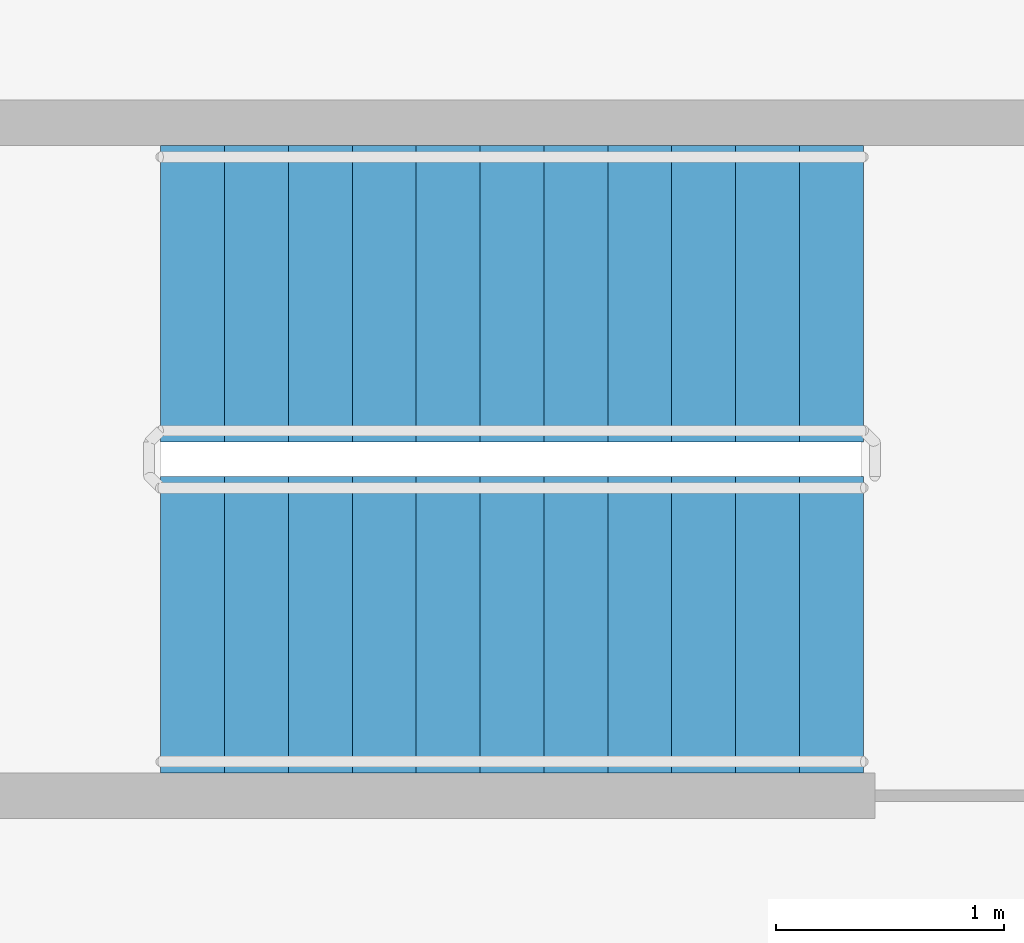
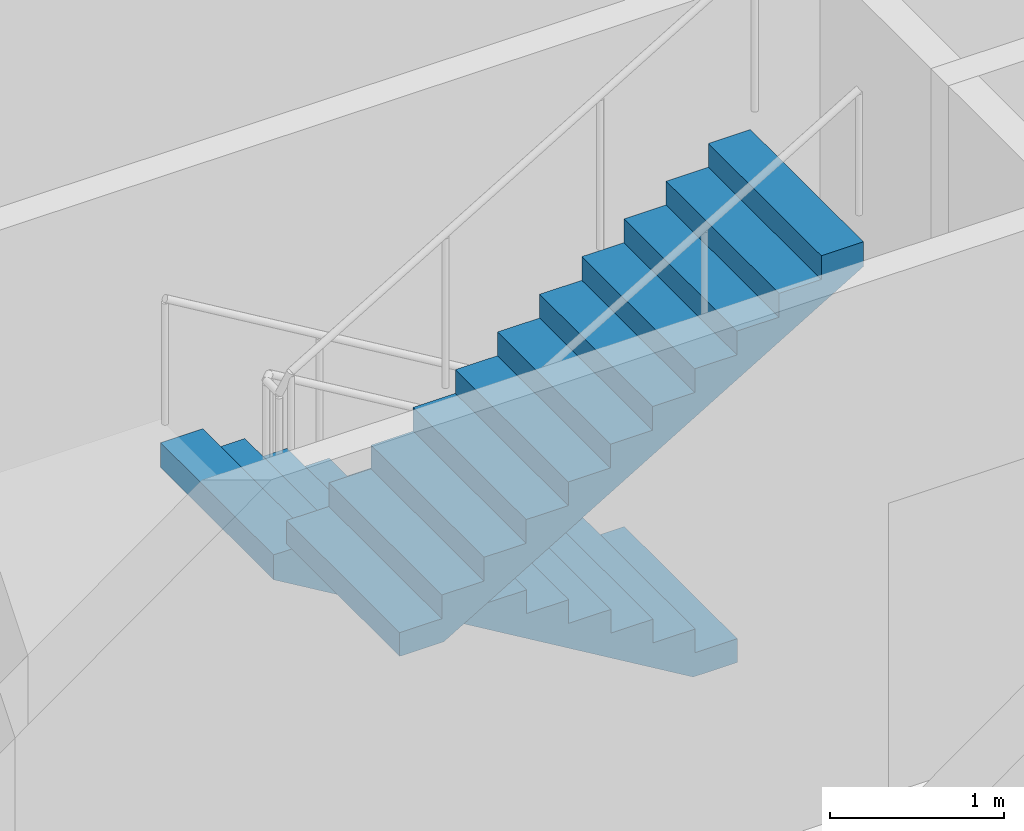
# One storey, part 8 of 9: 2 stair flights, 1 element without a shape of its own.
"""IFC4 building model written with IfcOpenShell, lengths in metres."""

from ifc_helpers import new_model, si_unit, direction, frame, origin, place, context, subcontext, project, spatial, polyline, outline, extrude, material, type_object, element, aggregate, save


model = new_model("IFC4")

# Units and contexts
model_context = context("Model", 3, precision=1e-05, world=origin(), true_north=direction((0.0, 1.0)))
body_context = subcontext(model_context, "Body", "Model", "MODEL_VIEW")
ifc_project = project(units=[si_unit("LENGTHUNIT", "METRE"), si_unit("AREAUNIT", "SQUARE_METRE"), si_unit("VOLUMEUNIT", "CUBIC_METRE"), si_unit("PLANEANGLEUNIT", "RADIAN"), si_unit("MASSUNIT", "GRAM", prefix="KILO")], contexts=[model_context])

# Site, building, storey
site_placement = place(None, origin())
site = spatial("IfcSite", under=ifc_project, at=site_placement, CompositionType="ELEMENT")
building_placement = place(site_placement, origin())
building = spatial("IfcBuilding", under=site, at=building_placement, Name="Corvane Civic Tower", CompositionType="ELEMENT")
storey_placement = place(building_placement, frame((0.0, 0.0, 225.5)))
storey = spatial("IfcBuildingStorey", under=building, at=storey_placement, Name="L53", CompositionType="ELEMENT", Elevation=225.5)

# Stair, stair flights
ifc_material_1 = material(Name="Concrete C40/50", Category="concrete")
stair_type = type_object("IfcStairType", Name="ST-STAIR-HALFTURN", PredefinedType="HALF_TURN_STAIR", material=ifc_material_1)
stair_placement = place(storey_placement, origin())
stair = element("IfcStair", 1, at=stair_placement, inside=storey, type_object=stair_type, Name="L53 Exit stair ST1", PredefinedType="HALF_TURN_STAIR")
ifc_material_2 = material(Name="Concrete C40/50", Category="concrete")
stair_flight_type = type_object("IfcStairFlightType", Name="ST-FLIGHT-RC", PredefinedType="STRAIGHT", material=ifc_material_2)
stair_flight_1_placement = place(storey_placement, frame((8.89990234375, 9.550048828125, 0.0), z_axis=(0.0, 0.0, 1.0), x_axis=(-1.0, 0.0, 0.0)))
stair_flight_1 = element("IfcStairFlight", 2, at=stair_flight_1_placement, type_object=stair_flight_type, Name="ST1 flight 1", NumberOfRisers=12, NumberOfTreads=11, PredefinedType="STRAIGHT", RiserHeight=0.166666667, TreadLength=0.28, context=body_context, shape_type="SweptSolid", body=[
    extrude(outline(polyline([(0.0, 0.0), (0.0, 0.166748046875), (0.280029296875, 0.166748046875), (0.280029296875, 0.333251953125), (0.56005859375, 0.333251953125), (0.56005859375, 0.5), (0.840087890625, 0.5), (0.840087890625, 0.666748046875), (1.1201171875, 0.666748046875), (1.1201171875, 0.833251953125), (1.39990234375, 0.833251953125), (1.39990234375, 1.0), (1.679931640625, 1.0), (1.679931640625, 1.166748046875), (1.9599609375, 1.166748046875), (1.9599609375, 1.333251953125), (2.239990234375, 1.333251953125), (2.239990234375, 1.5), (2.52001953125, 1.5), (2.52001953125, 1.666748046875), (2.800048828125, 1.666748046875), (2.800048828125, 1.833251953125), (3.080078125, 1.833251953125), (3.080078125, 2.0), (3.080078125, 1.658935546875), (0.29296875, 0.0), (0.0, 0.0)])), frame((0.0, 0.64990234375, 0.0), z_axis=(0.0, -1.0, 0.0), x_axis=(1.0, 0.0, 0.0)), (0.0, 0.0, 1.0), 1.300048828125),
])
stair_flight_2_placement = place(storey_placement, frame((5.820068359375, 8.10009765625, 2.0), z_axis=(0.0, 0.0, 1.0), x_axis=(1.0, 0.0, 0.0)))
stair_flight_2 = element("IfcStairFlight", 3, at=stair_flight_2_placement, type_object=stair_flight_type, Name="ST1 flight 2", NumberOfRisers=12, NumberOfTreads=11, PredefinedType="STRAIGHT", RiserHeight=0.166666667, TreadLength=0.28, context=body_context, shape_type="SweptSolid", body=[
    extrude(outline(polyline([(0.0, 0.0), (0.0, 0.166748046875), (0.280029296875, 0.166748046875), (0.280029296875, 0.333251953125), (0.56005859375, 0.333251953125), (0.56005859375, 0.5), (0.840087890625, 0.5), (0.840087890625, 0.666748046875), (1.1201171875, 0.666748046875), (1.1201171875, 0.833251953125), (1.39990234375, 0.833251953125), (1.39990234375, 1.0), (1.679931640625, 1.0), (1.679931640625, 1.166748046875), (1.9599609375, 1.166748046875), (1.9599609375, 1.333251953125), (2.239990234375, 1.333251953125), (2.239990234375, 1.5), (2.52001953125, 1.5), (2.52001953125, 1.666748046875), (2.800048828125, 1.666748046875), (2.800048828125, 1.833251953125), (3.080078125, 1.833251953125), (3.080078125, 2.0), (3.080078125, 1.658935546875), (0.29296875, 0.0), (0.0, 0.0)])), frame((0.0, 0.64990234375, 0.0), z_axis=(0.0, -1.0, 0.0), x_axis=(1.0, 0.0, 0.0)), (0.0, 0.0, 1.0), 1.300048828125),
])
aggregate(stair, [stair_flight_1, stair_flight_2])

save(model, "model.ifc")
